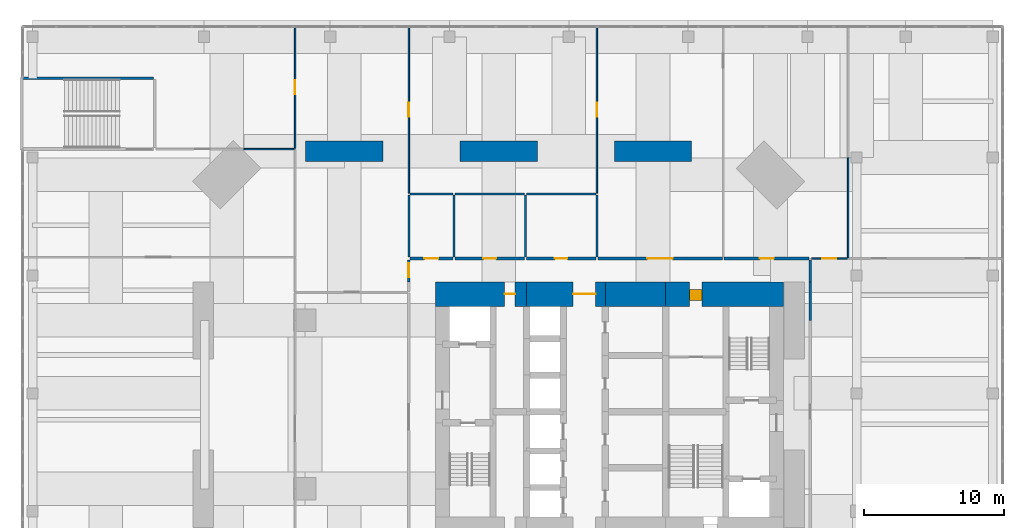
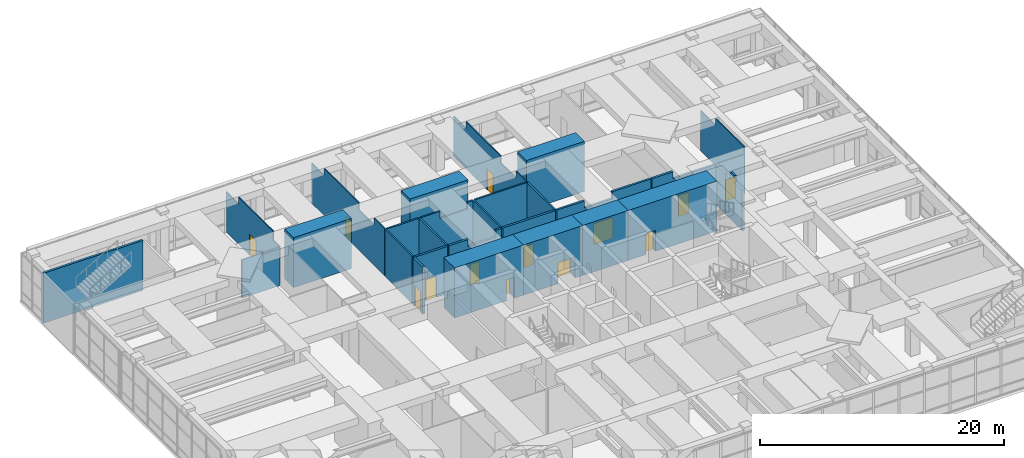
# One storey, part 21 of 24: 30 walls, 13 doors, 13 openings.
"""IFC4 building model written with IfcOpenShell, lengths in metres."""

from ifc_helpers import new_model, si_unit, direction, frame, frame_2d, origin, place, context, subcontext, project, spatial, polyline, rectangle, outline, extrude, material, layer, layer_set, constituent, constituent_set, type_object, element, fill, save


model = new_model("IFC4")

# Units and contexts
model_context = context("Model", 3, precision=1e-05, world=origin(), true_north=direction((0.0, 1.0)))
body_context = subcontext(model_context, "Body", "Model", "MODEL_VIEW")
ifc_project = project(units=[si_unit("LENGTHUNIT", "METRE"), si_unit("AREAUNIT", "SQUARE_METRE"), si_unit("VOLUMEUNIT", "CUBIC_METRE"), si_unit("PLANEANGLEUNIT", "RADIAN"), si_unit("MASSUNIT", "GRAM", prefix="KILO")], contexts=[model_context])

# Site, building, storey
site_placement = place(None, origin())
site = spatial("IfcSite", under=ifc_project, at=site_placement, CompositionType="ELEMENT")
building_placement = place(site_placement, origin())
building = spatial("IfcBuilding", under=site, at=building_placement, Name="Jalousie Tower", CompositionType="ELEMENT")
storey_placement = place(building_placement, frame((0.0, 0.0, 11.0)))
storey = spatial("IfcBuildingStorey", under=building, at=storey_placement, Name="L02", CompositionType="ELEMENT", Elevation=11.0)

# Walls
ifc_material_1 = material(Name="Concrete block ASTM C90", Category="concrete")
ifc_constituent_1 = constituent(ifc_material_1, Name="Body")
ifc_material_2 = material(Name="Render")
ifc_constituent_2 = constituent(ifc_material_2, Name="Finish")
ifc_constituent_set_1 = constituent_set(constituents=[ifc_constituent_1, ifc_constituent_2])
wall_type_1 = type_object("IfcWallType", Name="BATHROOM WALL 150", PredefinedType="PLUMBINGWALL", material=ifc_constituent_set_1)
for number, where, z_axis, x_axis, name in (
    (1, (17.60009765625, 29.5, 0.0), (0.0, 0.0, 1.0), (0.0, 1.0, 0.0), "Bathroom Wall 150 L02"),
    (2, (20.81591796875, 29.5, 0.0), (0.0, 0.0, 1.0), (0.0, 1.0, 0.0), "Bathroom Wall 150 L02"),
):
    element("IfcWall", number, at=place(storey_placement, frame(where, z_axis=z_axis, x_axis=x_axis)), inside=storey, type_object=wall_type_1, Name=name, PredefinedType="PLUMBINGWALL", context=body_context, shape_type="SweptSolid", body=[
        extrude(rectangle(XDim=4.425048828125, YDim=0.14990234375, at=frame_2d((2.21240234375, 0.0))), origin(), (0.0, 0.0, 1.0), 4.719970703125),
    ])
wall_1_placement = place(storey_placement, frame((17.675048828125, 34.0, 0.0), z_axis=(0.0, 0.0, 1.0), x_axis=(1.0, 0.0, 0.0)))
element("IfcWall", 3, at=wall_1_placement, inside=storey, type_object=wall_type_1, Name="Bathroom Wall 150 L02", PredefinedType="PLUMBINGWALL", context=body_context, shape_type="SweptSolid", body=[
    extrude(rectangle(XDim=3.06591796875, YDim=0.14990234375, at=frame_2d((1.532958984375, 0.0))), origin(), (0.0, 0.0, 1.0), 4.719970703125),
])
wall_2_placement = place(storey_placement, frame((25.907958984375, 29.5, 0.0), z_axis=(0.0, 0.0, 1.0), x_axis=(0.0, 1.0, 0.0)))
element("IfcWall", 4, at=wall_2_placement, inside=storey, type_object=wall_type_1, Name="Bathroom Wall 150 L02", PredefinedType="PLUMBINGWALL", context=body_context, shape_type="SweptSolid", body=[
    extrude(rectangle(XDim=4.425048828125, YDim=0.14990234375, at=frame_2d((2.21240234375, 0.0))), origin(), (0.0, 0.0, 1.0), 4.719970703125),
])
wall_3_placement = place(storey_placement, frame((20.89111328125, 34.0, 0.0), z_axis=(0.0, 0.0, 1.0), x_axis=(1.0, 0.0, 0.0)))
element("IfcWall", 5, at=wall_3_placement, inside=storey, type_object=wall_type_1, Name="Bathroom Wall 150 L02", PredefinedType="PLUMBINGWALL", context=body_context, shape_type="SweptSolid", body=[
    extrude(outline(polyline([(0.0, 0.0), (4.94189453125, 0.0), (4.94189453125, 4.719970703125), (4.39404296875, 4.719970703125), (4.39404296875, 4.02001953125), (1.823974609375, 4.02001953125), (1.823974609375, 4.719970703125), (0.0, 4.719970703125), (0.0, 0.0)])), frame((0.0, 0.074951171875, 0.0), z_axis=(0.0, -1.0, 0.0), x_axis=(1.0, 0.0, 0.0)), (0.0, 0.0, 1.0), 0.14990234375),
])
wall_4_placement = place(storey_placement, frame((25.98291015625, 34.0, 0.0), z_axis=(0.0, 0.0, 1.0), x_axis=(1.0, 0.0, 0.0)))
element("IfcWall", 6, at=wall_4_placement, inside=storey, type_object=wall_type_1, Name="Bathroom Wall 150 L02", PredefinedType="PLUMBINGWALL", context=body_context, shape_type="SweptSolid", body=[
    extrude(rectangle(XDim=4.942138671875, YDim=0.14990234375, at=frame_2d((2.47119140625, 0.0))), origin(), (0.0, 0.0, 1.0), 4.719970703125),
])
wall_5_placement = place(storey_placement, frame((31.0, 29.5, 0.0), z_axis=(0.0, 0.0, 1.0), x_axis=(0.0, 1.0, 0.0)))
element("IfcWall", 7, at=wall_5_placement, inside=storey, type_object=wall_type_1, Name="Bathroom Wall 150 L02", PredefinedType="PLUMBINGWALL", context=body_context, shape_type="SweptSolid", body=[
    extrude(rectangle(XDim=4.425048828125, YDim=0.14990234375, at=frame_2d((2.21240234375, 0.0))), origin(), (0.0, 0.0, 1.0), 4.719970703125),
])

# Wall, opening, door
ifc_material_3 = material(Name="Concrete f'c 120 MPa", Category="concrete")
ifc_layer_1 = layer(ifc_material_3, 1.75)
ifc_layer_set_1 = layer_set([ifc_layer_1], Name="Concrete f'c 120 MPa")
wall_type_2 = type_object("IfcWallType", Name="CORE WALL 1750", PredefinedType="SHEAR", material=ifc_layer_set_1)
wall_6_placement = place(storey_placement, frame((44.300048828125, 26.875, 0.0), z_axis=(0.0, 0.0, 1.0), x_axis=(-1.0, 0.0, 0.0)))
wall_6 = element("IfcWall", 8, at=wall_6_placement, inside=storey, type_object=wall_type_2, Name="Core wall NA L02", PredefinedType="SHEAR", context=body_context, shape_type="SweptSolid", body=[
    extrude(rectangle(XDim=8.400146484375, YDim=1.75, at=frame_2d((4.2001953125, 0.0))), origin(), (0.0, 0.0, 1.0), 5.0),
])
opening_1_placement = place(wall_6_placement, frame((5.800048828125, 0.0, 0.0)))
opening_1 = element("IfcOpeningElement", 9, at=opening_1_placement, cuts=wall_6, Name="Opening D26", PredefinedType="OPENING", context=body_context, shape_type="SweptSolid", body=[
    extrude(rectangle(XDim=0.89990234375, YDim=2.10009765625, at=frame_2d((0.449951171875, 1.050048828125))), frame((0.0, 0.885009765625, 0.0), z_axis=(0.0, -1.0, 0.0), x_axis=(1.0, 0.0, 0.0)), (0.0, 0.0, 1.0), 1.77001953125),
])
ifc_material_4 = material(Name="Steel fire door", Category="steel")
door_type_1 = type_object("IfcDoorType", Name="HOUSEKEEPING STORE DOOR 900", OperationType="SINGLE_SWING_LEFT", PredefinedType="DOOR", material=ifc_material_4)
door_1_placement = place(opening_1_placement, origin())
door_1 = element("IfcDoor", 10, at=door_1_placement, inside=storey, type_object=door_type_1, Name="Housekeeping store door", OperationType="SINGLE_SWING_RIGHT", OverallHeight=2.10009765625, OverallWidth=0.89990234375, PredefinedType="DOOR", context=body_context, shape_type="SweptSolid", body=[
    extrude(rectangle(XDim=0.89990234375, YDim=2.10009765625, at=frame_2d((0.449951171875, 1.050048828125))), frame((0.0, 0.47021484375, 0.0), z_axis=(0.0, -1.0, 0.0), x_axis=(1.0, 0.0, 0.0)), (0.0, 0.0, 1.0), 0.800048828125),
])
fill(opening_1, door_1)

# Wall
wall_7_placement = place(storey_placement, frame((35.89990234375, 26.875, 0.0), z_axis=(0.0, 0.0, 1.0), x_axis=(-1.0, 0.0, 0.0)))
element("IfcWall", 11, at=wall_7_placement, inside=storey, type_object=wall_type_2, Name="Core wall NB L02", PredefinedType="SHEAR", context=body_context, shape_type="SweptSolid", body=[
    extrude(rectangle(XDim=4.2998046875, YDim=1.75, at=frame_2d((2.14990234375, 0.0))), origin(), (0.0, 0.0, 1.0), 5.0),
])

# Wall, opening, door
wall_8_placement = place(storey_placement, frame((31.60009765625, 26.875, 0.0), z_axis=(0.0, 0.0, 1.0), x_axis=(-1.0, 0.0, 0.0)))
wall_8 = element("IfcWall", 12, at=wall_8_placement, inside=storey, type_object=wall_type_2, Name="Core wall NC L02", PredefinedType="SHEAR", context=body_context, shape_type="SweptSolid", body=[
    extrude(rectangle(XDim=5.60009765625, YDim=1.75, at=frame_2d((2.800048828125, 0.0))), origin(), (0.0, 0.0, 1.0), 5.0),
])
opening_2_placement = place(wall_8_placement, frame((0.699951171875, 0.0, 0.0)))
opening_2 = element("IfcOpeningElement", 13, at=opening_2_placement, cuts=wall_8, Name="Opening D15", PredefinedType="OPENING", context=body_context, shape_type="SweptSolid", body=[
    extrude(rectangle(XDim=1.60009765625, YDim=2.10009765625, at=frame_2d((0.800048828125, 1.050048828125))), frame((0.0, 0.885009765625, 0.0), z_axis=(0.0, -1.0, 0.0), x_axis=(1.0, 0.0, 0.0)), (0.0, 0.0, 1.0), 1.77001953125),
])
ifc_material_5 = material(Name="Steel fire door", Category="steel")
door_type_2 = type_object("IfcDoorType", Name="LIFT LOBBY DOOR 1600", OperationType="DOUBLE_DOOR_SINGLE_SWING", PredefinedType="DOOR", material=ifc_material_5)
door_2_placement = place(opening_2_placement, origin())
door_2 = element("IfcDoor", 14, at=door_2_placement, inside=storey, type_object=door_type_2, Name="Lift lobby north door", OperationType="DOUBLE_DOOR_SINGLE_SWING", OverallHeight=2.10009765625, OverallWidth=1.60009765625, PredefinedType="DOOR", context=body_context, shape_type="SweptSolid", body=[
    extrude(rectangle(XDim=1.60009765625, YDim=2.10009765625, at=frame_2d((0.800048828125, 1.050048828125))), frame((0.0, 0.02490234375, 0.0), z_axis=(0.0, -1.0, 0.0), x_axis=(1.0, 0.0, 0.0)), (0.0, 0.0, 1.0), 0.050048828125),
])
fill(opening_2, door_2)

wall_9_placement = place(storey_placement, frame((26.0, 26.875, 0.0), z_axis=(0.0, 0.0, 1.0), x_axis=(-1.0, 0.0, 0.0)))
wall_9 = element("IfcWall", 15, at=wall_9_placement, inside=storey, type_object=wall_type_2, Name="Core wall ND L02", PredefinedType="SHEAR", context=body_context, shape_type="SweptSolid", body=[
    extrude(rectangle(XDim=6.5, YDim=1.75, at=frame_2d((3.25, 0.0))), origin(), (0.0, 0.0, 1.0), 5.0),
])
opening_3_placement = place(wall_9_placement, frame((0.824951171875, 0.0, 0.0)))
opening_3 = element("IfcOpeningElement", 16, at=opening_3_placement, cuts=wall_9, Name="Opening D16", PredefinedType="OPENING", context=body_context, shape_type="SweptSolid", body=[
    extrude(rectangle(XDim=0.75, YDim=2.10009765625, at=frame_2d((0.375, 1.050048828125))), frame((0.0, 0.885009765625, 0.0), z_axis=(0.0, -1.0, 0.0), x_axis=(1.0, 0.0, 0.0)), (0.0, 0.0, 1.0), 1.77001953125),
])
ifc_material_6 = material(Name="Steel fire door", Category="steel")
door_type_3 = type_object("IfcDoorType", Name="RISER DOOR 750", OperationType="SINGLE_SWING_LEFT", PredefinedType="DOOR", material=ifc_material_6)
door_3_placement = place(opening_3_placement, origin())
door_3 = element("IfcDoor", 17, at=door_3_placement, inside=storey, type_object=door_type_3, Name="North riser door", OperationType="SINGLE_SWING_RIGHT", OverallHeight=2.10009765625, OverallWidth=0.75, PredefinedType="DOOR", context=body_context, shape_type="SweptSolid", body=[
    extrude(rectangle(XDim=0.75, YDim=2.10009765625, at=frame_2d((0.375, 1.050048828125))), frame((0.0, 0.02490234375, 0.0), z_axis=(0.0, -1.0, 0.0), x_axis=(1.0, 0.0, 0.0)), (0.0, 0.0, 1.0), 0.050048828125),
])
fill(opening_3, door_3)

ifc_material_7 = material(Name="Concrete block ASTM C90", Category="concrete")
ifc_constituent_3 = constituent(ifc_material_7, Name="Body")
ifc_material_8 = material(Name="Render")
ifc_constituent_4 = constituent(ifc_material_8, Name="Finish")
ifc_constituent_set_2 = constituent_set(constituents=[ifc_constituent_3, ifc_constituent_4])
wall_type_3 = type_object("IfcWallType", Name="CORRIDOR WALL 200", PredefinedType="PARTITIONING", material=ifc_constituent_set_2)
wall_10_placement = place(storey_placement, frame((17.60009765625, 27.75, 0.0), z_axis=(0.0, 0.0, 1.0), x_axis=(0.0, 1.0, 0.0)))
wall_10 = element("IfcWall", 18, at=wall_10_placement, inside=storey, type_object=wall_type_3, Name="Corridor Wall 200 L02", PredefinedType="PARTITIONING", context=body_context, shape_type="SweptSolid", body=[
    extrude(rectangle(XDim=1.550048828125, YDim=0.199951171875, at=frame_2d((0.77490234375, 0.0))), origin(), (0.0, 0.0, 1.0), 4.719970703125),
])
opening_4_placement = place(wall_10_placement, frame((0.324951171875, 0.0, 0.0)))
opening_4 = element("IfcOpeningElement", 19, at=opening_4_placement, cuts=wall_10, Name="Opening D21", PredefinedType="OPENING", context=body_context, shape_type="SweptSolid", body=[
    extrude(rectangle(XDim=1.0, YDim=2.10009765625, at=frame_2d((0.5, 1.050048828125))), frame((0.0, 0.10986328125, 0.0), z_axis=(0.0, -1.0, 0.0), x_axis=(1.0, 0.0, 0.0)), (0.0, 0.0, 1.0), 0.219970703125),
])
ifc_material_9 = material(Name="Timber fire door", Category="wood")
door_type_4 = type_object("IfcDoorType", Name="CORRIDOR DOOR 1000", OperationType="SINGLE_SWING_LEFT", PredefinedType="DOOR", material=ifc_material_9)
door_4_placement = place(opening_4_placement, origin())
door_4 = element("IfcDoor", 20, at=door_4_placement, inside=storey, type_object=door_type_4, Name="Reading room door", OperationType="SINGLE_SWING_LEFT", OverallHeight=2.10009765625, OverallWidth=1.0, PredefinedType="DOOR", context=body_context, shape_type="SweptSolid", body=[
    extrude(rectangle(XDim=1.0, YDim=2.10009765625, at=frame_2d((0.5, 1.050048828125))), frame((0.0, 0.02490234375, 0.0), z_axis=(0.0, -1.0, 0.0), x_axis=(1.0, 0.0, 0.0)), (0.0, 0.0, 1.0), 0.050048828125),
])
fill(opening_4, door_4)

wall_11_placement = place(storey_placement, frame((17.699951171875, 29.39990234375, 0.0), z_axis=(0.0, 0.0, 1.0), x_axis=(1.0, 0.0, 0.0)))
wall_11 = element("IfcWall", 21, at=wall_11_placement, inside=storey, type_object=wall_type_3, Name="Corridor Wall 200 L02", PredefinedType="PARTITIONING", context=body_context, shape_type="SweptSolid", body=[
    extrude(rectangle(XDim=3.041015625, YDim=0.199951171875, at=frame_2d((1.5205078125, 0.0))), origin(), (0.0, 0.0, 1.0), 4.719970703125),
])
opening_5_placement = place(wall_11_placement, frame((1.008056640625, 0.0, 0.0)))
opening_5 = element("IfcOpeningElement", 22, at=opening_5_placement, cuts=wall_11, Name="Opening D21", PredefinedType="OPENING", context=body_context, shape_type="SweptSolid", body=[
    extrude(rectangle(XDim=1.0, YDim=2.10009765625, at=frame_2d((0.5, 1.050048828125))), frame((0.0, 0.10986328125, 0.0), z_axis=(0.0, -1.0, 0.0), x_axis=(1.0, 0.0, 0.0)), (0.0, 0.0, 1.0), 0.219970703125),
])
door_5_placement = place(opening_5_placement, origin())
door_5 = element("IfcDoor", 23, at=door_5_placement, inside=storey, type_object=door_type_4, Name="Accessible WC door", OperationType="SINGLE_SWING_LEFT", OverallHeight=2.10009765625, OverallWidth=1.0, PredefinedType="DOOR", context=body_context, shape_type="SweptSolid", body=[
    extrude(rectangle(XDim=1.0, YDim=2.10009765625, at=frame_2d((0.5, 1.050048828125))), frame((0.0, 0.02490234375, 0.0), z_axis=(0.0, -1.0, 0.0), x_axis=(1.0, 0.0, 0.0)), (0.0, 0.0, 1.0), 0.050048828125),
])
fill(opening_5, door_5)

wall_12_placement = place(storey_placement, frame((20.89111328125, 29.39990234375, 0.0), z_axis=(0.0, 0.0, 1.0), x_axis=(1.0, 0.0, 0.0)))
wall_12 = element("IfcWall", 24, at=wall_12_placement, inside=storey, type_object=wall_type_3, Name="Corridor Wall 200 L02", PredefinedType="PARTITIONING", context=body_context, shape_type="SweptSolid", body=[
    extrude(outline(polyline([(0.0, 0.0), (4.94189453125, 0.0), (4.94189453125, 4.719970703125), (4.4189453125, 4.719970703125), (4.4189453125, 4.02001953125), (1.799072265625, 4.02001953125), (1.799072265625, 4.719970703125), (0.0, 4.719970703125), (0.0, 0.0)])), frame((0.0, 0.10009765625, 0.0), z_axis=(0.0, -1.0, 0.0), x_axis=(1.0, 0.0, 0.0)), (0.0, 0.0, 1.0), 0.199951171875),
])
opening_6_placement = place(wall_12_placement, frame((2.02099609375, 0.0, 0.0)))
opening_6 = element("IfcOpeningElement", 25, at=opening_6_placement, cuts=wall_12, Name="Opening D20", PredefinedType="OPENING", context=body_context, shape_type="SweptSolid", body=[
    extrude(rectangle(XDim=0.89990234375, YDim=2.10009765625, at=frame_2d((0.449951171875, 1.050048828125))), frame((0.0, 0.10986328125, 0.0), z_axis=(0.0, -1.0, 0.0), x_axis=(1.0, 0.0, 0.0)), (0.0, 0.0, 1.0), 0.219970703125),
])
ifc_material_10 = material(Name="Timber fire door", Category="wood")
door_type_5 = type_object("IfcDoorType", Name="CORRIDOR DOOR 900", OperationType="SINGLE_SWING_LEFT", PredefinedType="DOOR", material=ifc_material_10)
door_6_placement = place(opening_6_placement, origin())
door_6 = element("IfcDoor", 26, at=door_6_placement, inside=storey, type_object=door_type_5, Name="Female WC door", OperationType="SINGLE_SWING_LEFT", OverallHeight=2.10009765625, OverallWidth=0.89990234375, PredefinedType="DOOR", context=body_context, shape_type="SweptSolid", body=[
    extrude(rectangle(XDim=0.89990234375, YDim=2.10009765625, at=frame_2d((0.449951171875, 1.050048828125))), frame((0.0, 0.02490234375, 0.0), z_axis=(0.0, -1.0, 0.0), x_axis=(1.0, 0.0, 0.0)), (0.0, 0.0, 1.0), 0.050048828125),
])
fill(opening_6, door_6)

wall_13_placement = place(storey_placement, frame((25.98291015625, 29.39990234375, 0.0), z_axis=(0.0, 0.0, 1.0), x_axis=(1.0, 0.0, 0.0)))
wall_13 = element("IfcWall", 27, at=wall_13_placement, inside=storey, type_object=wall_type_3, Name="Corridor Wall 200 L02", PredefinedType="PARTITIONING", context=body_context, shape_type="SweptSolid", body=[
    extrude(rectangle(XDim=4.942138671875, YDim=0.199951171875, at=frame_2d((2.47119140625, 0.0))), origin(), (0.0, 0.0, 1.0), 4.719970703125),
])
opening_7_placement = place(wall_13_placement, frame((2.02099609375, 0.0, 0.0)))
opening_7 = element("IfcOpeningElement", 28, at=opening_7_placement, cuts=wall_13, Name="Opening D20", PredefinedType="OPENING", context=body_context, shape_type="SweptSolid", body=[
    extrude(rectangle(XDim=0.89990234375, YDim=2.10009765625, at=frame_2d((0.449951171875, 1.050048828125))), frame((0.0, 0.10986328125, 0.0), z_axis=(0.0, -1.0, 0.0), x_axis=(1.0, 0.0, 0.0)), (0.0, 0.0, 1.0), 0.219970703125),
])
door_7_placement = place(opening_7_placement, origin())
door_7 = element("IfcDoor", 29, at=door_7_placement, inside=storey, type_object=door_type_5, Name="Male WC door", OperationType="SINGLE_SWING_LEFT", OverallHeight=2.10009765625, OverallWidth=0.89990234375, PredefinedType="DOOR", context=body_context, shape_type="SweptSolid", body=[
    extrude(rectangle(XDim=0.89990234375, YDim=2.10009765625, at=frame_2d((0.449951171875, 1.050048828125))), frame((0.0, 0.02490234375, 0.0), z_axis=(0.0, -1.0, 0.0), x_axis=(1.0, 0.0, 0.0)), (0.0, 0.0, 1.0), 0.050048828125),
])
fill(opening_7, door_7)

wall_14_placement = place(storey_placement, frame((31.074951171875, 29.39990234375, 0.0), z_axis=(0.0, 0.0, 1.0), x_axis=(1.0, 0.0, 0.0)))
wall_14 = element("IfcWall", 30, at=wall_14_placement, inside=storey, type_object=wall_type_3, Name="Corridor Wall 200 L02", PredefinedType="PARTITIONING", context=body_context, shape_type="SweptSolid", body=[
    extrude(outline(polyline([(0.0, 0.0), (8.875, 0.0), (8.875, 4.719970703125), (5.235107421875, 4.719970703125), (5.235107421875, 4.02001953125), (2.614990234375, 4.02001953125), (2.614990234375, 4.719970703125), (0.0, 4.719970703125), (0.0, 0.0)])), frame((0.0, 0.10009765625, 0.0), z_axis=(0.0, -1.0, 0.0), x_axis=(1.0, 0.0, 0.0)), (0.0, 0.0, 1.0), 0.199951171875),
])
opening_8_placement = place(wall_14_placement, frame((3.52490234375, 0.0, 0.0)))
opening_8 = element("IfcOpeningElement", 31, at=opening_8_placement, cuts=wall_14, Name="Opening D22", PredefinedType="OPENING", context=body_context, shape_type="SweptSolid", body=[
    extrude(rectangle(XDim=1.800048828125, YDim=2.10009765625, at=frame_2d((0.89990234375, 1.050048828125))), frame((0.0, 0.10986328125, 0.0), z_axis=(0.0, -1.0, 0.0), x_axis=(1.0, 0.0, 0.0)), (0.0, 0.0, 1.0), 0.219970703125),
])
ifc_material_11 = material(Name="Timber fire door", Category="wood")
door_type_6 = type_object("IfcDoorType", Name="CORRIDOR DOUBLE DOOR 1800", OperationType="DOUBLE_DOOR_SINGLE_SWING", PredefinedType="DOOR", material=ifc_material_11)
door_8_placement = place(opening_8_placement, origin())
door_8 = element("IfcDoor", 32, at=door_8_placement, inside=storey, type_object=door_type_6, Name="Cinema room door", OperationType="DOUBLE_DOOR_SINGLE_SWING", OverallHeight=2.10009765625, OverallWidth=1.800048828125, PredefinedType="DOOR", context=body_context, shape_type="SweptSolid", body=[
    extrude(rectangle(XDim=1.800048828125, YDim=2.10009765625, at=frame_2d((0.89990234375, 1.050048828125))), frame((0.0, 0.02490234375, 0.0), z_axis=(0.0, -1.0, 0.0), x_axis=(1.0, 0.0, 0.0)), (0.0, 0.0, 1.0), 0.050048828125),
])
fill(opening_8, door_8)

# Walls
wall_15_placement = place(storey_placement, frame((46.199951171875, 27.75, 0.0), z_axis=(0.0, 0.0, 1.0), x_axis=(0.0, 1.0, 0.0)))
element("IfcWall", 33, at=wall_15_placement, inside=storey, type_object=wall_type_3, Name="Corridor Wall 200 L02", PredefinedType="PARTITIONING", context=body_context, shape_type="SweptSolid", body=[
    extrude(outline(polyline([(0.0, 0.0), (1.550048828125, 0.0), (1.550048828125, 4.719970703125), (1.550048828125, 4.02001953125), (0.0, 4.02001953125), (0.0, 4.719970703125), (0.0, 0.0)])), frame((0.0, 0.10009765625, 0.0), z_axis=(0.0, -1.0, 0.0), x_axis=(1.0, 0.0, 0.0)), (0.0, 0.0, 1.0), 0.199951171875),
])
wall_16_placement = place(storey_placement, frame((40.050048828125, 29.39990234375, 0.0), z_axis=(0.0, 0.0, 1.0), x_axis=(1.0, 0.0, 0.0)))
element("IfcWall", 34, at=wall_16_placement, inside=storey, type_object=wall_type_3, Name="Corridor Wall 200 L02-A", PredefinedType="PARTITIONING", context=body_context, shape_type="SweptSolid", body=[
    extrude(outline(polyline([(0.0, 0.0), (2.550048828125, 0.0), (2.550048828125, 4.02001953125), (2.008544921875, 4.02001953125), (2.008544921875, 4.719970703125), (0.0, 4.719970703125), (0.0, 0.0)])), frame((0.0, 0.10009765625, 0.0), z_axis=(0.0, -1.0, 0.0), x_axis=(1.0, 0.0, 0.0)), (0.0, 0.0, 1.0), 0.199951171875),
])

# Wall, opening, door
wall_17_placement = place(storey_placement, frame((42.60009765625, 29.39990234375, 0.0), z_axis=(0.0, 0.0, 1.0), x_axis=(1.0, 0.0, 0.0)))
wall_17 = element("IfcWall", 35, at=wall_17_placement, inside=storey, type_object=wall_type_3, Name="Corridor Wall 200 L02-B", PredefinedType="PARTITIONING", context=body_context, shape_type="SweptSolid", body=[
    extrude(rectangle(XDim=3.5, YDim=0.199951171875, at=frame_2d((1.75, 0.0))), origin(), (0.0, 0.0, 1.0), 4.02001953125),
])
opening_9_placement = place(wall_17_placement, origin())
opening_9 = element("IfcOpeningElement", 36, at=opening_9_placement, cuts=wall_17, Name="Opening D21", PredefinedType="OPENING", context=body_context, shape_type="SweptSolid", body=[
    extrude(rectangle(XDim=1.0, YDim=2.10009765625, at=frame_2d((0.5, 1.050048828125))), frame((0.0, 0.10986328125, 0.0), z_axis=(0.0, -1.0, 0.0), x_axis=(1.0, 0.0, 0.0)), (0.0, 0.0, 1.0), 0.219970703125),
])
door_9_placement = place(opening_9_placement, origin())
door_9 = element("IfcDoor", 37, at=door_9_placement, inside=storey, type_object=door_type_4, Name="Children's library door", OperationType="SINGLE_SWING_LEFT", OverallHeight=2.10009765625, OverallWidth=1.0, PredefinedType="DOOR", context=body_context, shape_type="SweptSolid", body=[
    extrude(rectangle(XDim=1.0, YDim=2.10009765625, at=frame_2d((0.5, 1.050048828125))), frame((0.0, 0.02490234375, 0.0), z_axis=(0.0, -1.0, 0.0), x_axis=(1.0, 0.0, 0.0)), (0.0, 0.0, 1.0), 0.050048828125),
])
fill(opening_9, door_9)

# Walls
wall_18_placement = place(storey_placement, frame((46.199951171875, 25.0, 0.0), z_axis=(0.0, 0.0, 1.0), x_axis=(0.0, 1.0, 0.0)))
element("IfcWall", 38, at=wall_18_placement, inside=storey, type_object=wall_type_3, Name="Corridor Wall 200 L02-C", PredefinedType="PARTITIONING", context=body_context, shape_type="SweptSolid", body=[
    extrude(outline(polyline([(0.0, 0.0), (2.75, 0.0), (2.75, 4.02001953125), (1.889892578125, 4.02001953125), (1.889892578125, 4.719970703125), (1.31005859375, 4.719970703125), (1.31005859375, 4.02001953125), (0.0, 4.02001953125), (0.0, 0.0)])), frame((0.0, 0.10009765625, 0.0), z_axis=(0.0, -1.0, 0.0), x_axis=(1.0, 0.0, 0.0)), (0.0, 0.0, 1.0), 0.199951171875),
])
ifc_material_12 = material(Name="Gypsum board", Category="gypsum")
ifc_constituent_5 = constituent(ifc_material_12, Name="Body")
ifc_material_13 = material(Name="Light-gauge steel studs ASTM A653 SS Grade 33", Category="steel")
ifc_constituent_6 = constituent(ifc_material_13, Name="Framing")
ifc_constituent_set_3 = constituent_set(constituents=[ifc_constituent_5, ifc_constituent_6])
wall_type_4 = type_object("IfcWallType", Name="PARTITION 100", PredefinedType="PARTITIONING", material=ifc_constituent_set_3)
wall_19_placement = place(storey_placement, frame((5.84912109375, 37.199951171875, 0.0), z_axis=(0.0, 0.0, 1.0), x_axis=(1.0, 0.0, 0.0)))
element("IfcWall", 39, at=wall_19_placement, inside=storey, type_object=wall_type_4, Name="Partition 100 L02-B", PredefinedType="PARTITIONING", context=body_context, shape_type="SweptSolid", body=[
    extrude(rectangle(XDim=3.600830078125, YDim=0.10009765625, at=frame_2d((1.80029296875, 0.0))), origin(), (0.0, 0.0, 1.0), 3.820068359375),
])

# Wall, opening, door
wall_20_placement = place(storey_placement, frame((9.5, 37.25, 0.0), z_axis=(0.0, 0.0, 1.0), x_axis=(0.0, 1.0, 0.0)))
wall_20 = element("IfcWall", 40, at=wall_20_placement, inside=storey, type_object=wall_type_4, Name="Partition 100 L02", PredefinedType="PARTITIONING", context=body_context, shape_type="SweptSolid", body=[
    extrude(outline(polyline([(0.0, 0.0), (8.75, 0.0), (8.75, 4.719970703125), (8.75, 4.02001953125), (6.68994140625, 4.02001953125), (6.68994140625, 4.719970703125), (1.06005859375, 4.719970703125), (1.06005859375, 3.820068359375), (0.0, 3.820068359375), (0.0, 4.719970703125), (0.0, 0.0)])), frame((0.0, 0.050048828125, 0.0), z_axis=(0.0, -1.0, 0.0), x_axis=(1.0, 0.0, 0.0)), (0.0, 0.0, 1.0), 0.10009765625),
])
opening_10_placement = place(wall_20_placement, frame((3.85009765625, 0.0, 0.0)))
opening_10 = element("IfcOpeningElement", 41, at=opening_10_placement, cuts=wall_20, Name="Opening D6", PredefinedType="OPENING", context=body_context, shape_type="SweptSolid", body=[
    extrude(rectangle(XDim=1.0, YDim=2.10009765625, at=frame_2d((0.5, 1.050048828125))), frame((0.0, 0.06005859375, 0.0), z_axis=(0.0, -1.0, 0.0), x_axis=(1.0, 0.0, 0.0)), (0.0, 0.0, 1.0), 0.1201171875),
])
ifc_material_14 = material(Name="Timber door", Category="wood")
door_type_7 = type_object("IfcDoorType", Name="INTERNAL DOOR 1000", OperationType="SINGLE_SWING_LEFT", PredefinedType="DOOR", material=ifc_material_14)
door_10_placement = place(opening_10_placement, origin())
door_10 = element("IfcDoor", 42, at=door_10_placement, inside=storey, type_object=door_type_7, Name="Card room reading room door", OperationType="SINGLE_SWING_LEFT", OverallHeight=2.10009765625, OverallWidth=1.0, PredefinedType="DOOR", context=body_context, shape_type="SweptSolid", body=[
    extrude(rectangle(XDim=1.0, YDim=2.10009765625, at=frame_2d((0.5, 1.050048828125))), frame((0.0, 0.02490234375, 0.0), z_axis=(0.0, -1.0, 0.0), x_axis=(1.0, 0.0, 0.0)), (0.0, 0.0, 1.0), 0.050048828125),
])
fill(opening_10, door_10)

wall_21_placement = place(storey_placement, frame((17.60009765625, 34.074951171875, 0.0), z_axis=(0.0, 0.0, 1.0), x_axis=(0.0, 1.0, 0.0)))
wall_21 = element("IfcWall", 43, at=wall_21_placement, inside=storey, type_object=wall_type_4, Name="Partition 100 L02", PredefinedType="PARTITIONING", context=body_context, shape_type="SweptSolid", body=[
    extrude(outline(polyline([(0.0, 0.0), (11.925048828125, 0.0), (11.925048828125, 4.719970703125), (11.925048828125, 4.02001953125), (9.864990234375, 4.02001953125), (9.864990234375, 4.719970703125), (4.235107421875, 4.719970703125), (4.235107421875, 4.02001953125), (1.715087890625, 4.02001953125), (1.715087890625, 4.719970703125), (0.0, 4.719970703125), (0.0, 0.0)])), frame((0.0, 0.050048828125, 0.0), z_axis=(0.0, -1.0, 0.0), x_axis=(1.0, 0.0, 0.0)), (0.0, 0.0, 1.0), 0.10009765625),
])
opening_11_placement = place(wall_21_placement, frame((5.425048828125, 0.0, 0.0)))
opening_11 = element("IfcOpeningElement", 44, at=opening_11_placement, cuts=wall_21, Name="Opening D6", PredefinedType="OPENING", context=body_context, shape_type="SweptSolid", body=[
    extrude(rectangle(XDim=1.0, YDim=2.10009765625, at=frame_2d((0.5, 1.050048828125))), frame((0.0, 0.06005859375, 0.0), z_axis=(0.0, -1.0, 0.0), x_axis=(1.0, 0.0, 0.0)), (0.0, 0.0, 1.0), 0.1201171875),
])
door_11_placement = place(opening_11_placement, frame((1.0, 0.0, 0.0), z_axis=(0.0, 0.0, 1.0), x_axis=(-1.0, 0.0, 0.0)))
door_11 = element("IfcDoor", 45, at=door_11_placement, inside=storey, type_object=door_type_7, Name="Furniture store reading room door", OperationType="SINGLE_SWING_RIGHT", OverallHeight=2.10009765625, OverallWidth=1.0, PredefinedType="DOOR", context=body_context, shape_type="SweptSolid", body=[
    extrude(rectangle(XDim=1.0, YDim=2.10009765625, at=frame_2d((0.5, 1.050048828125))), frame((0.0, 0.02490234375, 0.0), z_axis=(0.0, -1.0, 0.0), x_axis=(1.0, 0.0, 0.0)), (0.0, 0.0, 1.0), 0.050048828125),
])
fill(opening_11, door_11)

wall_22_placement = place(storey_placement, frame((31.0, 34.074951171875, 0.0), z_axis=(0.0, 0.0, 1.0), x_axis=(0.0, 1.0, 0.0)))
wall_22 = element("IfcWall", 46, at=wall_22_placement, inside=storey, type_object=wall_type_4, Name="Partition 100 L02", PredefinedType="PARTITIONING", context=body_context, shape_type="SweptSolid", body=[
    extrude(outline(polyline([(0.0, 0.0), (11.925048828125, 0.0), (11.925048828125, 4.719970703125), (11.925048828125, 4.02001953125), (9.864990234375, 4.02001953125), (9.864990234375, 4.719970703125), (4.235107421875, 4.719970703125), (4.235107421875, 4.02001953125), (1.715087890625, 4.02001953125), (1.715087890625, 4.719970703125), (0.0, 4.719970703125), (0.0, 0.0)])), frame((0.0, 0.050048828125, 0.0), z_axis=(0.0, -1.0, 0.0), x_axis=(1.0, 0.0, 0.0)), (0.0, 0.0, 1.0), 0.10009765625),
])
opening_12_placement = place(wall_22_placement, frame((5.425048828125, 0.0, 0.0)))
opening_12 = element("IfcOpeningElement", 47, at=opening_12_placement, cuts=wall_22, Name="Opening D6", PredefinedType="OPENING", context=body_context, shape_type="SweptSolid", body=[
    extrude(rectangle(XDim=1.0, YDim=2.10009765625, at=frame_2d((0.5, 1.050048828125))), frame((0.0, 0.06005859375, 0.0), z_axis=(0.0, -1.0, 0.0), x_axis=(1.0, 0.0, 0.0)), (0.0, 0.0, 1.0), 0.1201171875),
])
door_12_placement = place(opening_12_placement, origin())
door_12 = element("IfcDoor", 48, at=door_12_placement, inside=storey, type_object=door_type_7, Name="Furniture store door", OperationType="SINGLE_SWING_LEFT", OverallHeight=2.10009765625, OverallWidth=1.0, PredefinedType="DOOR", context=body_context, shape_type="SweptSolid", body=[
    extrude(rectangle(XDim=1.0, YDim=2.10009765625, at=frame_2d((0.5, 1.050048828125))), frame((0.0, 0.02490234375, 0.0), z_axis=(0.0, -1.0, 0.0), x_axis=(1.0, 0.0, 0.0)), (0.0, 0.0, 1.0), 0.050048828125),
])
fill(opening_12, door_12)

# Wall
wall_23_placement = place(storey_placement, frame((48.89990234375, 29.449951171875, 0.0), z_axis=(0.0, 0.0, 1.0), x_axis=(0.0, 1.0, 0.0)))
element("IfcWall", 49, at=wall_23_placement, inside=storey, type_object=wall_type_4, Name="Partition 100 L02-A", PredefinedType="PARTITIONING", context=body_context, shape_type="SweptSolid", body=[
    extrude(outline(polyline([(0.0, 0.0), (7.150146484375, 0.0), (7.14990234375, 4.02001953125), (4.65869140625, 4.02001953125), (4.65869140625, 4.719970703125), (0.010009765625, 4.719970703125), (0.010009765625, 4.02001953125), (0.0, 4.02001953125), (0.0, 0.0)])), frame((0.0, 0.050048828125, 0.0), z_axis=(0.0, -1.0, 0.0), x_axis=(1.0, 0.0, 0.0)), (0.0, 0.0, 1.0), 0.10009765625),
])

# Wall, opening, door
wall_24_placement = place(storey_placement, frame((46.300048828125, 29.39990234375, 0.0), z_axis=(0.0, 0.0, 1.0), x_axis=(1.0, 0.0, 0.0)))
wall_24 = element("IfcWall", 50, at=wall_24_placement, inside=storey, type_object=wall_type_4, Name="Partition 100 L02", PredefinedType="PARTITIONING", context=body_context, shape_type="SweptSolid", body=[
    extrude(outline(polyline([(0.0, 0.0), (2.550048828125, 0.0), (2.550048828125, 4.719970703125), (2.550048828125, 4.02001953125), (0.0, 4.02001953125), (0.0, 4.719970703125), (0.0, 0.0)])), frame((0.0, 0.050048828125, 0.0), z_axis=(0.0, -1.0, 0.0), x_axis=(1.0, 0.0, 0.0)), (0.0, 0.0, 1.0), 0.10009765625),
])
opening_13_placement = place(wall_24_placement, frame((0.75, 0.0, 0.0)))
opening_13 = element("IfcOpeningElement", 51, at=opening_13_placement, cuts=wall_24, Name="Opening D6", PredefinedType="OPENING", context=body_context, shape_type="SweptSolid", body=[
    extrude(rectangle(XDim=1.0, YDim=2.10009765625, at=frame_2d((0.5, 1.050048828125))), frame((0.0, 0.06005859375, 0.0), z_axis=(0.0, -1.0, 0.0), x_axis=(1.0, 0.0, 0.0)), (0.0, 0.0, 1.0), 0.1201171875),
])
door_13_placement = place(opening_13_placement, frame((1.0, 0.0, 0.0), z_axis=(0.0, 0.0, 1.0), x_axis=(-1.0, 0.0, 0.0)))
door_13 = element("IfcDoor", 52, at=door_13_placement, inside=storey, type_object=door_type_7, Name="Children's library second door", OperationType="SINGLE_SWING_RIGHT", OverallHeight=2.10009765625, OverallWidth=1.0, PredefinedType="DOOR", context=body_context, shape_type="SweptSolid", body=[
    extrude(rectangle(XDim=1.0, YDim=2.10009765625, at=frame_2d((0.5, 1.050048828125))), frame((0.0, 0.02490234375, 0.0), z_axis=(0.0, -1.0, 0.0), x_axis=(1.0, 0.0, 0.0)), (0.0, 0.0, 1.0), 0.050048828125),
])
fill(opening_13, door_13)

# Walls
ifc_material_15 = material(Name="Concrete f'c 120 MPa", Category="concrete")
ifc_layer_2 = layer(ifc_material_15, 1.449951171875)
ifc_layer_set_2 = layer_set([ifc_layer_2], Name="Concrete f'c 120 MPa")
wall_type_5 = type_object("IfcWallType", Name="RC WALL PIER 1450", PredefinedType="SHEAR", material=ifc_layer_set_2)
for number, where, z_axis, x_axis, name in (
    (53, (32.25, 37.050048828125, 0.0), (0.0, 0.0, 1.0), (1.0, 0.0, 0.0), "Wall pier 09 L02"),
    (54, (21.25, 37.050048828125, 0.0), (0.0, 0.0, 1.0), (1.0, 0.0, 0.0), "Wall pier 10 L02"),
    (55, (10.25, 37.050048828125, 0.0), (0.0, 0.0, 1.0), (1.0, 0.0, 0.0), "Wall pier 11 L02"),
):
    element("IfcWall", number, at=place(storey_placement, frame(where, z_axis=z_axis, x_axis=x_axis)), inside=storey, type_object=wall_type_5, Name=name, PredefinedType="SHEAR", context=body_context, shape_type="SweptSolid", body=[
        extrude(rectangle(XDim=5.5, YDim=1.449951171875, at=frame_2d((2.75, 0.0))), origin(), (0.0, 0.0, 1.0), 5.0),
    ])
ifc_material_16 = material(Name="Concrete block ASTM C90", Category="concrete")
ifc_constituent_7 = constituent(ifc_material_16, Name="Body")
ifc_material_17 = material(Name="Render")
ifc_constituent_8 = constituent(ifc_material_17, Name="Finish")
ifc_constituent_set_4 = constituent_set(constituents=[ifc_constituent_7, ifc_constituent_8])
wall_type_6 = type_object("IfcWallType", Name="STAIR WALL 200", PredefinedType="SOLIDWALL", material=ifc_constituent_set_4)
wall_25_placement = place(storey_placement, frame((-10.0, 42.25, 0.0), z_axis=(0.0, 0.0, 1.0), x_axis=(1.0, 0.0, 0.0)))
element("IfcWall", 56, at=wall_25_placement, inside=storey, type_object=wall_type_6, Name="Stair Wall 200 L02", PredefinedType="SOLIDWALL", context=body_context, shape_type="SweptSolid", body=[
    extrude(rectangle(XDim=9.39990234375, YDim=0.199951171875, at=frame_2d((4.699951171875, 0.0))), origin(), (0.0, 0.0, 1.0), 5.0),
])

save(model, "model.ifc")
